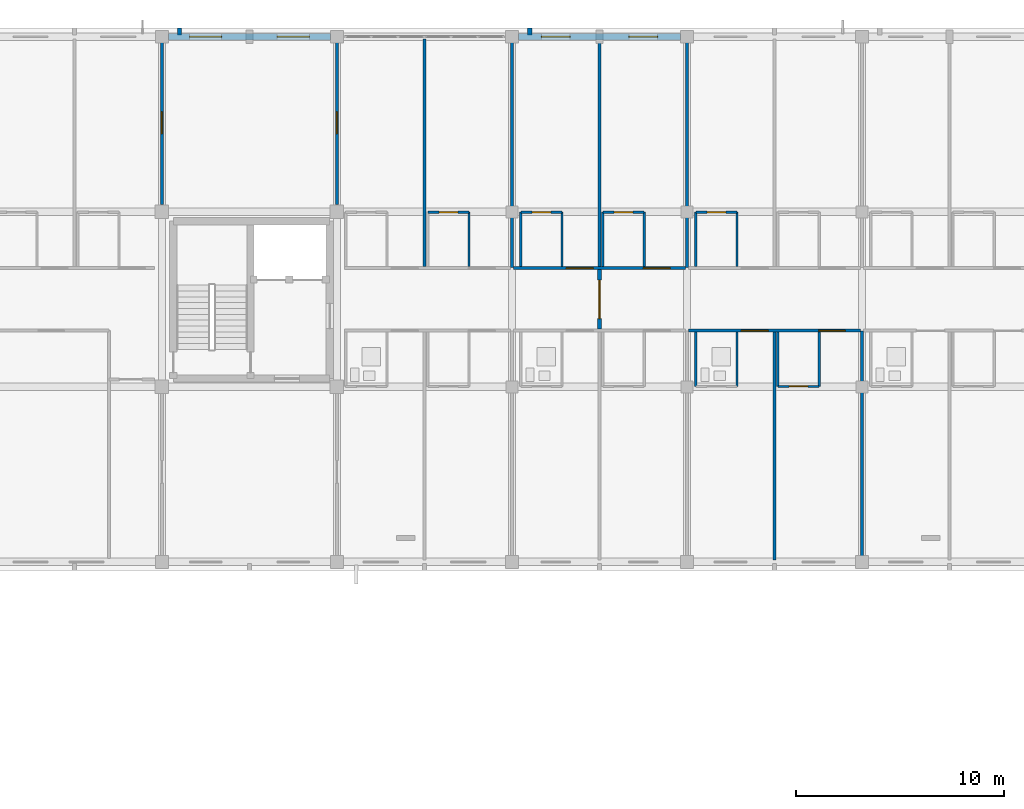
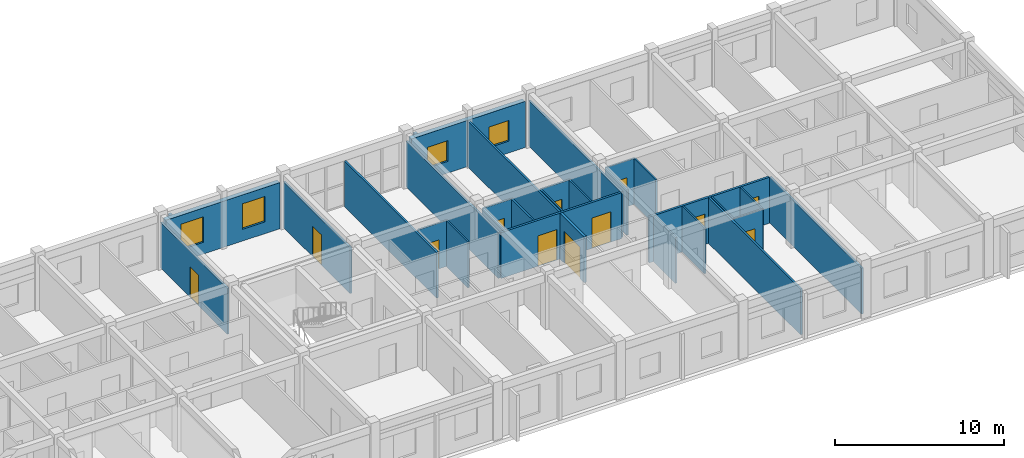
# One storey, part 71 of 81: 31 walls, 12 doors, 4 windows, 16 openings.
"""IFC4 building model written with IfcOpenShell, lengths in metres."""

from ifc_helpers import new_model, si_unit, direction, frame, frame_2d, origin, place, context, subcontext, project, spatial, rectangle, extrude, material, layer, layer_set, type_object, element, fill, save


model = new_model("IFC4")

# Units and contexts
model_context = context("Model", 3, precision=1e-05, world=origin(), true_north=direction((0.0, 1.0)))
body_context = subcontext(model_context, "Body", "Model", "MODEL_VIEW")
ifc_project = project(units=[si_unit("LENGTHUNIT", "METRE"), si_unit("AREAUNIT", "SQUARE_METRE"), si_unit("VOLUMEUNIT", "CUBIC_METRE"), si_unit("PLANEANGLEUNIT", "RADIAN"), si_unit("MASSUNIT", "GRAM", prefix="KILO")], contexts=[model_context])

# Site, building, storey
site_placement = place(None, origin())
site = spatial("IfcSite", under=ifc_project, at=site_placement, CompositionType="ELEMENT")
building_placement = place(site_placement, origin())
building = spatial("IfcBuilding", under=site, at=building_placement, Name="Trelvath General Hospital", CompositionType="ELEMENT")
storey_placement = place(building_placement, frame((0.0, 0.0, 24.60009765625)))
storey = spatial("IfcBuildingStorey", under=building, at=storey_placement, Name="L06", CompositionType="ELEMENT", Elevation=24.60009765625)

# Walls
ifc_material_1 = material(Name="Precast concrete C40/50", Category="concrete")
ifc_layer_1 = layer(ifc_material_1, 0.199951171875)
ifc_layer_set_1 = layer_set([ifc_layer_1], Name="Precast concrete C40/50")
wall_type_1 = type_object("IfcWallType", Name="BriseSoleilRib 200", PredefinedType="ELEMENTEDWALL", material=ifc_layer_set_1)
for number, where, z_axis, x_axis, name in (
    (1, (84.850341796875, 117.675048828125, 0.0), (0.0, 0.0, 1.0), (0.0, 1.0, 0.0), "Precast Concrete Brise-Soleil Rib Fin L06-438"),
    (2, (101.650390625, 117.675048828125, 0.0), (0.0, 0.0, 1.0), (0.0, 1.0, 0.0), "Precast Concrete Brise-Soleil Rib Fin L06-444"),
):
    element("IfcWall", number, at=place(storey_placement, frame(where, z_axis=z_axis, x_axis=x_axis)), inside=storey, type_object=wall_type_1, Name=name, PredefinedType="ELEMENTEDWALL", context=body_context, shape_type="SweptSolid", body=[
        extrude(rectangle(XDim=0.33984375, YDim=0.199951171875, at=frame_2d((0.169921875, 0.0))), origin(), (0.0, 0.0, 1.0), 3.31982421875),
    ])

# Wall, openings, doors
ifc_material_2 = material(Name="Gypsum acoustic steel-stud partition", Category="steel")
ifc_layer_2 = layer(ifc_material_2, 0.14990234375)
ifc_layer_set_2 = layer_set([ifc_layer_2], Name="Gypsum acoustic steel-stud partition")
wall_type_2 = type_object("IfcWallType", Name="ClinicalPartition 150", PredefinedType="PARTITIONING", material=ifc_layer_set_2)
wall_1_placement = place(storey_placement, frame((109.1201171875, 106.5, 0.0), z_axis=(0.0, 0.0, 1.0), x_axis=(-1.0, 0.0, 0.0)))
wall_1 = element("IfcWall", 3, at=wall_1_placement, inside=storey, type_object=wall_type_2, Name="Corridor Partition N L06-2269", PredefinedType="PARTITIONING", context=body_context, shape_type="SweptSolid", body=[
    extrude(rectangle(XDim=8.240234375, YDim=0.14990234375, at=frame_2d((4.1201171875, 0.0))), origin(), (0.0, 0.0, 1.0), 3.31982421875),
])
opening_1_placement = place(wall_1_placement, frame((0.72998046875, 0.0, 0.0)))
opening_1 = element("IfcOpeningElement", 4, at=opening_1_placement, cuts=wall_1, Name="Opening D-6-1428", PredefinedType="OPENING", context=body_context, shape_type="SweptSolid", body=[
    extrude(rectangle(XDim=1.280029296875, YDim=2.199951171875, at=frame_2d((0.64013671875, 1.10009765625))), frame((0.0, 0.0849609375, 0.0), z_axis=(0.0, -1.0, 0.0), x_axis=(1.0, 0.0, 0.0)), (0.0, 0.0, 1.0), 0.169921875),
])
opening_2_placement = place(wall_1_placement, frame((4.429931640625, 0.0, 0.0)))
opening_2 = element("IfcOpeningElement", 5, at=opening_2_placement, cuts=wall_1, Name="Opening D-6-1429", PredefinedType="OPENING", context=body_context, shape_type="SweptSolid", body=[
    extrude(rectangle(XDim=1.280029296875, YDim=2.199951171875, at=frame_2d((0.64013671875, 1.10009765625))), frame((0.0, 0.0849609375, 0.0), z_axis=(0.0, -1.0, 0.0), x_axis=(1.0, 0.0, 0.0)), (0.0, 0.0, 1.0), 0.169921875),
])
ifc_material_3 = material(Name="Pediatric ward timber door", Category="wood")
door_type_1 = type_object("IfcDoorType", Name="Door PatientPeds 1280x2200", OperationType="NOTDEFINED", PredefinedType="DOOR", material=ifc_material_3)
door_1_placement = place(opening_1_placement, origin())
door_1 = element("IfcDoor", 6, at=door_1_placement, inside=storey, type_object=door_type_1, Name="Patient Room Door N L06-1428", OperationType="SINGLE_SWING_LEFT", OverallHeight=2.199951171875, OverallWidth=1.280029296875, PredefinedType="DOOR", context=body_context, shape_type="SweptSolid", body=[
    extrude(rectangle(XDim=1.280029296875, YDim=2.199951171875, at=frame_2d((0.64013671875, 1.10009765625))), frame((0.0, 0.02490234375, 0.0), z_axis=(0.0, -1.0, 0.0), x_axis=(1.0, 0.0, 0.0)), (0.0, 0.0, 1.0), 0.050048828125),
])
fill(opening_1, door_1)
door_2_placement = place(opening_2_placement, origin())
door_2 = element("IfcDoor", 7, at=door_2_placement, inside=storey, type_object=door_type_1, Name="Patient Room Door N L06-1429", OperationType="SINGLE_SWING_LEFT", OverallHeight=2.199951171875, OverallWidth=1.280029296875, PredefinedType="DOOR", context=body_context, shape_type="SweptSolid", body=[
    extrude(rectangle(XDim=1.280029296875, YDim=2.199951171875, at=frame_2d((0.64013671875, 1.10009765625))), frame((0.0, 0.02490234375, 0.0), z_axis=(0.0, -1.0, 0.0), x_axis=(1.0, 0.0, 0.0)), (0.0, 0.0, 1.0), 0.050048828125),
])
fill(opening_2, door_2)

wall_2_placement = place(storey_placement, frame((109.280029296875, 103.5, 0.0), z_axis=(0.0, 0.0, 1.0), x_axis=(1.0, 0.0, 0.0)))
wall_2 = element("IfcWall", 8, at=wall_2_placement, inside=storey, type_object=wall_type_2, Name="Corridor Partition L06-2280", PredefinedType="PARTITIONING", context=body_context, shape_type="SweptSolid", body=[
    extrude(rectangle(XDim=8.239990234375, YDim=0.14990234375, at=frame_2d((4.1201171875, 0.0))), origin(), (0.0, 0.0, 1.0), 3.31982421875),
])
opening_3_placement = place(wall_2_placement, frame((2.530029296875, 0.0, 0.0)))
opening_3 = element("IfcOpeningElement", 9, at=opening_3_placement, cuts=wall_2, Name="Opening D-6-1433", PredefinedType="OPENING", context=body_context, shape_type="SweptSolid", body=[
    extrude(rectangle(XDim=1.280029296875, YDim=2.199951171875, at=frame_2d((0.64013671875, 1.10009765625))), frame((0.0, 0.0849609375, 0.0), z_axis=(0.0, -1.0, 0.0), x_axis=(1.0, 0.0, 0.0)), (0.0, 0.0, 1.0), 0.169921875),
])
opening_4_placement = place(wall_2_placement, frame((6.22998046875, 0.0, 0.0)))
opening_4 = element("IfcOpeningElement", 10, at=opening_4_placement, cuts=wall_2, Name="Opening D-6-1434", PredefinedType="OPENING", context=body_context, shape_type="SweptSolid", body=[
    extrude(rectangle(XDim=1.280029296875, YDim=2.199951171875, at=frame_2d((0.64013671875, 1.10009765625))), frame((0.0, 0.0849609375, 0.0), z_axis=(0.0, -1.0, 0.0), x_axis=(1.0, 0.0, 0.0)), (0.0, 0.0, 1.0), 0.169921875),
])
door_3_placement = place(opening_3_placement, origin())
door_3 = element("IfcDoor", 11, at=door_3_placement, inside=storey, type_object=door_type_1, Name="Patient Room Door L06-1433", OperationType="SINGLE_SWING_RIGHT", OverallHeight=2.199951171875, OverallWidth=1.280029296875, PredefinedType="DOOR", context=body_context, shape_type="SweptSolid", body=[
    extrude(rectangle(XDim=1.280029296875, YDim=2.199951171875, at=frame_2d((0.64013671875, 1.10009765625))), frame((0.0, 0.02490234375, 0.0), z_axis=(0.0, -1.0, 0.0), x_axis=(1.0, 0.0, 0.0)), (0.0, 0.0, 1.0), 0.050048828125),
])
fill(opening_3, door_3)
door_4_placement = place(opening_4_placement, origin())
door_4 = element("IfcDoor", 12, at=door_4_placement, inside=storey, type_object=door_type_1, Name="Patient Room Door L06-1434", OperationType="SINGLE_SWING_LEFT", OverallHeight=2.199951171875, OverallWidth=1.280029296875, PredefinedType="DOOR", context=body_context, shape_type="SweptSolid", body=[
    extrude(rectangle(XDim=1.280029296875, YDim=2.199951171875, at=frame_2d((0.64013671875, 1.10009765625))), frame((0.0, 0.02490234375, 0.0), z_axis=(0.0, -1.0, 0.0), x_axis=(1.0, 0.0, 0.0)), (0.0, 0.0, 1.0), 0.050048828125),
])
fill(opening_4, door_4)

# Wall
ifc_material_4 = material(Name="Moisture-resistant tile partition")
ifc_layer_3 = layer(ifc_material_4, 0.110107421875)
ifc_layer_set_3 = layer_set([ifc_layer_3], Name="Moisture-resistant tile partition")
wall_type_3 = type_object("IfcWallType", Name="EnSuiteWetWall 110", PredefinedType="PARTITIONING", material=ifc_layer_set_3)
wall_3_placement = place(storey_placement, frame((98.739990234375, 106.570068359375, 0.0), z_axis=(0.0, 0.0, 1.0), x_axis=(0.0, 1.0, 0.0)))
element("IfcWall", 13, at=wall_3_placement, inside=storey, type_object=wall_type_3, Name="En-Suite E Wall N L06-2257", PredefinedType="PARTITIONING", context=body_context, shape_type="SweptSolid", body=[
    extrude(rectangle(XDim=2.60986328125, YDim=0.110107421875, at=frame_2d((1.304931640625, 0.0))), origin(), (0.0, 0.0, 1.0), 3.31982421875),
])

# Wall, opening, door
wall_4_placement = place(storey_placement, frame((96.760009765625, 109.179931640625, 0.0), z_axis=(0.0, 0.0, 1.0), x_axis=(1.0, 0.0, 0.0)))
wall_4 = element("IfcWall", 14, at=wall_4_placement, inside=storey, type_object=wall_type_3, Name="En-Suite Bathroom N Partition L06-2258", PredefinedType="PARTITIONING", context=body_context, shape_type="SweptSolid", body=[
    extrude(rectangle(XDim=1.97998046875, YDim=0.110107421875, at=frame_2d((0.989990234375, 0.0))), origin(), (0.0, 0.0, 1.0), 3.31982421875),
])
opening_5_placement = place(wall_4_placement, frame((0.5400390625, 0.0, 0.0)))
opening_5 = element("IfcOpeningElement", 15, at=opening_5_placement, cuts=wall_4, Name="Opening D-6-1423", PredefinedType="OPENING", context=body_context, shape_type="SweptSolid", body=[
    extrude(rectangle(XDim=0.89990234375, YDim=2.10009765625, at=frame_2d((0.449951171875, 1.050048828125))), frame((0.0, 0.06494140625, 0.0), z_axis=(0.0, -1.0, 0.0), x_axis=(1.0, 0.0, 0.0)), (0.0, 0.0, 1.0), 0.130126953125),
])
ifc_material_5 = material(Name="Moisture-sealed timber leaf", Category="wood")
door_type_2 = type_object("IfcDoorType", Name="Door EnSuite 900x2100", OperationType="NOTDEFINED", PredefinedType="DOOR", material=ifc_material_5)
door_5_placement = place(opening_5_placement, origin())
door_5 = element("IfcDoor", 16, at=door_5_placement, inside=storey, type_object=door_type_2, Name="En-Suite Bathroom N Door L06-1423", OperationType="SINGLE_SWING_RIGHT", OverallHeight=2.10009765625, OverallWidth=0.89990234375, PredefinedType="DOOR", context=body_context, shape_type="SweptSolid", body=[
    extrude(rectangle(XDim=0.89990234375, YDim=2.10009765625, at=frame_2d((0.449951171875, 1.050048828125))), frame((0.0, 0.02490234375, 0.0), z_axis=(0.0, -1.0, 0.0), x_axis=(1.0, 0.0, 0.0)), (0.0, 0.0, 1.0), 0.050048828125),
])
fill(opening_5, door_5)

# Walls
for number, where, z_axis, x_axis, name in (
    (17, (101.219970703125, 106.570068359375, 0.0), (0.0, 0.0, 1.0), (0.0, 1.0, 0.0), "En-Suite W Wall N L06-2271"),
    (18, (103.199951171875, 106.570068359375, 0.0), (0.0, 0.0, 1.0), (0.0, 1.0, 0.0), "En-Suite E Wall N L06-2272"),
):
    element("IfcWall", number, at=place(storey_placement, frame(where, z_axis=z_axis, x_axis=x_axis)), inside=storey, type_object=wall_type_3, Name=name, PredefinedType="PARTITIONING", context=body_context, shape_type="SweptSolid", body=[
        extrude(rectangle(XDim=2.60986328125, YDim=0.110107421875, at=frame_2d((1.304931640625, 0.0))), origin(), (0.0, 0.0, 1.0), 3.31982421875),
    ])

# Wall, opening, door
wall_5_placement = place(storey_placement, frame((101.219970703125, 109.179931640625, 0.0), z_axis=(0.0, 0.0, 1.0), x_axis=(1.0, 0.0, 0.0)))
wall_5 = element("IfcWall", 19, at=wall_5_placement, inside=storey, type_object=wall_type_3, Name="En-Suite Bathroom N Partition L06-2273", PredefinedType="PARTITIONING", context=body_context, shape_type="SweptSolid", body=[
    extrude(rectangle(XDim=1.97998046875, YDim=0.110107421875, at=frame_2d((0.989990234375, 0.0))), origin(), (0.0, 0.0, 1.0), 3.31982421875),
])
opening_6_placement = place(wall_5_placement, frame((0.5400390625, 0.0, 0.0)))
opening_6 = element("IfcOpeningElement", 20, at=opening_6_placement, cuts=wall_5, Name="Opening D-6-1430", PredefinedType="OPENING", context=body_context, shape_type="SweptSolid", body=[
    extrude(rectangle(XDim=0.89990234375, YDim=2.10009765625, at=frame_2d((0.449951171875, 1.050048828125))), frame((0.0, 0.06494140625, 0.0), z_axis=(0.0, -1.0, 0.0), x_axis=(1.0, 0.0, 0.0)), (0.0, 0.0, 1.0), 0.130126953125),
])
door_6_placement = place(opening_6_placement, origin())
door_6 = element("IfcDoor", 21, at=door_6_placement, inside=storey, type_object=door_type_2, Name="En-Suite Bathroom N Door L06-1430", OperationType="SINGLE_SWING_RIGHT", OverallHeight=2.10009765625, OverallWidth=0.89990234375, PredefinedType="DOOR", context=body_context, shape_type="SweptSolid", body=[
    extrude(rectangle(XDim=0.89990234375, YDim=2.10009765625, at=frame_2d((0.449951171875, 1.050048828125))), frame((0.0, 0.02490234375, 0.0), z_axis=(0.0, -1.0, 0.0), x_axis=(1.0, 0.0, 0.0)), (0.0, 0.0, 1.0), 0.050048828125),
])
fill(opening_6, door_6)

# Walls
for number, where, z_axis, x_axis, name in (
    (22, (105.159912109375, 106.570068359375, 0.0), (0.0, 0.0, 1.0), (0.0, 1.0, 0.0), "En-Suite W Wall N L06-2274"),
    (23, (107.139892578125, 106.570068359375, 0.0), (0.0, 0.0, 1.0), (0.0, 1.0, 0.0), "En-Suite E Wall N L06-2275"),
):
    element("IfcWall", number, at=place(storey_placement, frame(where, z_axis=z_axis, x_axis=x_axis)), inside=storey, type_object=wall_type_3, Name=name, PredefinedType="PARTITIONING", context=body_context, shape_type="SweptSolid", body=[
        extrude(rectangle(XDim=2.60986328125, YDim=0.110107421875, at=frame_2d((1.304931640625, 0.0))), origin(), (0.0, 0.0, 1.0), 3.31982421875),
    ])

# Wall, opening, door
wall_6_placement = place(storey_placement, frame((105.159912109375, 109.179931640625, 0.0), z_axis=(0.0, 0.0, 1.0), x_axis=(1.0, 0.0, 0.0)))
wall_6 = element("IfcWall", 24, at=wall_6_placement, inside=storey, type_object=wall_type_3, Name="En-Suite Bathroom N Partition L06-2276", PredefinedType="PARTITIONING", context=body_context, shape_type="SweptSolid", body=[
    extrude(rectangle(XDim=1.97998046875, YDim=0.110107421875, at=frame_2d((0.989990234375, 0.0))), origin(), (0.0, 0.0, 1.0), 3.31982421875),
])
opening_7_placement = place(wall_6_placement, frame((0.5400390625, 0.0, 0.0)))
opening_7 = element("IfcOpeningElement", 25, at=opening_7_placement, cuts=wall_6, Name="Opening D-6-1431", PredefinedType="OPENING", context=body_context, shape_type="SweptSolid", body=[
    extrude(rectangle(XDim=0.89990234375, YDim=2.10009765625, at=frame_2d((0.449951171875, 1.050048828125))), frame((0.0, 0.06494140625, 0.0), z_axis=(0.0, -1.0, 0.0), x_axis=(1.0, 0.0, 0.0)), (0.0, 0.0, 1.0), 0.130126953125),
])
door_7_placement = place(opening_7_placement, origin())
door_7 = element("IfcDoor", 26, at=door_7_placement, inside=storey, type_object=door_type_2, Name="En-Suite Bathroom N Door L06-1431", OperationType="SINGLE_SWING_LEFT", OverallHeight=2.10009765625, OverallWidth=0.89990234375, PredefinedType="DOOR", context=body_context, shape_type="SweptSolid", body=[
    extrude(rectangle(XDim=0.89990234375, YDim=2.10009765625, at=frame_2d((0.449951171875, 1.050048828125))), frame((0.0, 0.02490234375, 0.0), z_axis=(0.0, -1.0, 0.0), x_axis=(1.0, 0.0, 0.0)), (0.0, 0.0, 1.0), 0.050048828125),
])
fill(opening_7, door_7)

# Walls
for number, where, z_axis, x_axis, name in (
    (27, (109.6201171875, 100.820068359375, 0.0), (0.0, 0.0, 1.0), (0.0, 1.0, 0.0), "En-Suite W Wall L06-2282"),
    (28, (111.60009765625, 100.820068359375, 0.0), (0.0, 0.0, 1.0), (0.0, 1.0, 0.0), "En-Suite E Wall L06-2283"),
    (29, (113.56005859375, 100.820068359375, 0.0), (0.0, 0.0, 1.0), (0.0, 1.0, 0.0), "En-Suite W Wall L06-2285"),
    (30, (115.5400390625, 100.820068359375, 0.0), (0.0, 0.0, 1.0), (0.0, 1.0, 0.0), "En-Suite E Wall L06-2286"),
):
    element("IfcWall", number, at=place(storey_placement, frame(where, z_axis=z_axis, x_axis=x_axis)), inside=storey, type_object=wall_type_3, Name=name, PredefinedType="PARTITIONING", context=body_context, shape_type="SweptSolid", body=[
        extrude(rectangle(XDim=2.60986328125, YDim=0.110107421875, at=frame_2d((1.304931640625, 0.0))), origin(), (0.0, 0.0, 1.0), 3.31982421875),
    ])

# Wall, opening, door
wall_7_placement = place(storey_placement, frame((113.56005859375, 100.820068359375, 0.0), z_axis=(0.0, 0.0, 1.0), x_axis=(1.0, 0.0, 0.0)))
wall_7 = element("IfcWall", 31, at=wall_7_placement, inside=storey, type_object=wall_type_3, Name="En-Suite Bathroom Partition L06-2287", PredefinedType="PARTITIONING", context=body_context, shape_type="SweptSolid", body=[
    extrude(rectangle(XDim=1.97998046875, YDim=0.110107421875, at=frame_2d((0.989990234375, 0.0))), origin(), (0.0, 0.0, 1.0), 3.31982421875),
])
opening_8_placement = place(wall_7_placement, frame((0.5400390625, 0.0, 0.0)))
opening_8 = element("IfcOpeningElement", 32, at=opening_8_placement, cuts=wall_7, Name="Opening D-6-1436", PredefinedType="OPENING", context=body_context, shape_type="SweptSolid", body=[
    extrude(rectangle(XDim=0.89990234375, YDim=2.10009765625, at=frame_2d((0.449951171875, 1.050048828125))), frame((0.0, 0.06494140625, 0.0), z_axis=(0.0, -1.0, 0.0), x_axis=(1.0, 0.0, 0.0)), (0.0, 0.0, 1.0), 0.130126953125),
])
door_8_placement = place(opening_8_placement, origin())
door_8 = element("IfcDoor", 33, at=door_8_placement, inside=storey, type_object=door_type_2, Name="En-Suite Bathroom Door L06-1436", OperationType="SINGLE_SWING_LEFT", OverallHeight=2.10009765625, OverallWidth=0.89990234375, PredefinedType="DOOR", context=body_context, shape_type="SweptSolid", body=[
    extrude(rectangle(XDim=0.89990234375, YDim=2.10009765625, at=frame_2d((0.449951171875, 1.050048828125))), frame((0.0, 0.02490234375, 0.0), z_axis=(0.0, -1.0, 0.0), x_axis=(1.0, 0.0, 0.0)), (0.0, 0.0, 1.0), 0.050048828125),
])
fill(opening_8, door_8)

# Walls
for number, where, z_axis, x_axis, name in (
    (34, (109.6201171875, 106.570068359375, 0.0), (0.0, 0.0, 1.0), (0.0, 1.0, 0.0), "En-Suite W Wall N L06-2290"),
    (35, (111.60009765625, 106.570068359375, 0.0), (0.0, 0.0, 1.0), (0.0, 1.0, 0.0), "En-Suite E Wall N L06-2291"),
):
    element("IfcWall", number, at=place(storey_placement, frame(where, z_axis=z_axis, x_axis=x_axis)), inside=storey, type_object=wall_type_3, Name=name, PredefinedType="PARTITIONING", context=body_context, shape_type="SweptSolid", body=[
        extrude(rectangle(XDim=2.60986328125, YDim=0.110107421875, at=frame_2d((1.304931640625, 0.0))), origin(), (0.0, 0.0, 1.0), 3.31982421875),
    ])

# Wall, opening, door
wall_8_placement = place(storey_placement, frame((109.6201171875, 109.179931640625, 0.0), z_axis=(0.0, 0.0, 1.0), x_axis=(1.0, 0.0, 0.0)))
wall_8 = element("IfcWall", 36, at=wall_8_placement, inside=storey, type_object=wall_type_3, Name="En-Suite Bathroom N Partition L06-2292", PredefinedType="PARTITIONING", context=body_context, shape_type="SweptSolid", body=[
    extrude(rectangle(XDim=1.97998046875, YDim=0.110107421875, at=frame_2d((0.989990234375, 0.0))), origin(), (0.0, 0.0, 1.0), 3.31982421875),
])
opening_9_placement = place(wall_8_placement, frame((0.5400390625, 0.0, 0.0)))
opening_9 = element("IfcOpeningElement", 37, at=opening_9_placement, cuts=wall_8, Name="Opening D-6-1439", PredefinedType="OPENING", context=body_context, shape_type="SweptSolid", body=[
    extrude(rectangle(XDim=0.89990234375, YDim=2.10009765625, at=frame_2d((0.449951171875, 1.050048828125))), frame((0.0, 0.06494140625, 0.0), z_axis=(0.0, -1.0, 0.0), x_axis=(1.0, 0.0, 0.0)), (0.0, 0.0, 1.0), 0.130126953125),
])
door_9_placement = place(opening_9_placement, origin())
door_9 = element("IfcDoor", 38, at=door_9_placement, inside=storey, type_object=door_type_2, Name="En-Suite Bathroom N Door L06-1439", OperationType="SINGLE_SWING_LEFT", OverallHeight=2.10009765625, OverallWidth=0.89990234375, PredefinedType="DOOR", context=body_context, shape_type="SweptSolid", body=[
    extrude(rectangle(XDim=0.89990234375, YDim=2.10009765625, at=frame_2d((0.449951171875, 1.050048828125))), frame((0.0, 0.02490234375, 0.0), z_axis=(0.0, -1.0, 0.0), x_axis=(1.0, 0.0, 0.0)), (0.0, 0.0, 1.0), 0.050048828125),
])
fill(opening_9, door_9)

# Wall, openings, windows
ifc_material_6 = material(Name="Concrete C35/45", Category="concrete")
ifc_layer_4 = layer(ifc_material_6, 0.320068359375)
ifc_layer_set_4 = layer_set([ifc_layer_4], Name="Concrete C35/45")
wall_type_4 = type_object("IfcWallType", Name="ExtThermalWall 320", PredefinedType="SOLIDWALL", material=ifc_layer_set_4)
wall_9_placement = place(storey_placement, frame((84.304931640625, 117.60009765625, 0.0), z_axis=(0.0, 0.0, 1.0), x_axis=(1.0, 0.0, 0.0)))
wall_9 = element("IfcWall", 39, at=wall_9_placement, inside=storey, type_object=wall_type_4, Name="Exterior Concrete Wall L06-587", PredefinedType="SOLIDWALL", context=body_context, shape_type="SweptSolid", body=[
    extrude(rectangle(XDim=7.7900390625, YDim=0.320068359375, at=frame_2d((3.89501953125, 0.0))), origin(), (0.0, 0.0, 1.0), 3.33984375),
])
opening_10_placement = place(wall_9_placement, frame((1.021728515625, 0.0, 0.85009765625)))
opening_10 = element("IfcOpeningElement", 40, at=opening_10_placement, cuts=wall_9, Name="Opening WN-6-981", PredefinedType="OPENING", context=body_context, shape_type="SweptSolid", body=[
    extrude(rectangle(XDim=1.5400390625, YDim=1.85009765625, at=frame_2d((0.77001953125, 0.925048828125))), frame((0.0, 0.169921875, 0.0), z_axis=(0.0, -1.0, 0.0), x_axis=(1.0, 0.0, 0.0)), (0.0, 0.0, 1.0), 0.340087890625),
])
opening_11_placement = place(wall_9_placement, frame((5.228271484375, 0.0, 0.85009765625)))
opening_11 = element("IfcOpeningElement", 41, at=opening_11_placement, cuts=wall_9, Name="Opening WN-6-982", PredefinedType="OPENING", context=body_context, shape_type="SweptSolid", body=[
    extrude(rectangle(XDim=1.5400390625, YDim=1.85009765625, at=frame_2d((0.77001953125, 0.925048828125))), frame((0.0, 0.169921875, 0.0), z_axis=(0.0, -1.0, 0.0), x_axis=(1.0, 0.0, 0.0)), (0.0, 0.0, 1.0), 0.340087890625),
])
ifc_material_7 = material(Name="Low-E laminated glass", Category="glass")
window_type_1 = type_object("IfcWindowType", Name="Window Waiting 1540x1850", PartitioningType="DOUBLE_PANEL_VERTICAL", PredefinedType="WINDOW", material=ifc_material_7)
window_1_placement = place(opening_10_placement, origin())
window_1 = element("IfcWindow", 42, at=window_1_placement, inside=storey, type_object=window_type_1, Name="Solar Reveal Window L06-981", OverallHeight=1.85009765625, OverallWidth=1.5400390625, PartitioningType="SINGLE_PANEL", PredefinedType="WINDOW", context=body_context, shape_type="SweptSolid", body=[
    extrude(rectangle(XDim=1.5400390625, YDim=1.85009765625, at=frame_2d((0.77001953125, 0.925048828125))), frame((0.0, 0.030029296875, 0.0), z_axis=(0.0, -1.0, 0.0), x_axis=(1.0, 0.0, 0.0)), (0.0, 0.0, 1.0), 0.06005859375),
])
fill(opening_10, window_1)
window_2_placement = place(opening_11_placement, origin())
window_2 = element("IfcWindow", 43, at=window_2_placement, inside=storey, type_object=window_type_1, Name="Solar Reveal Window L06-982", OverallHeight=1.85009765625, OverallWidth=1.5400390625, PartitioningType="SINGLE_PANEL", PredefinedType="WINDOW", context=body_context, shape_type="SweptSolid", body=[
    extrude(rectangle(XDim=1.5400390625, YDim=1.85009765625, at=frame_2d((0.77001953125, 0.925048828125))), frame((0.0, 0.030029296875, 0.0), z_axis=(0.0, -1.0, 0.0), x_axis=(1.0, 0.0, 0.0)), (0.0, 0.0, 1.0), 0.06005859375),
])
fill(opening_11, window_2)

wall_10_placement = place(storey_placement, frame((101.10498046875, 117.60009765625, 0.0), z_axis=(0.0, 0.0, 1.0), x_axis=(1.0, 0.0, 0.0)))
wall_10 = element("IfcWall", 44, at=wall_10_placement, inside=storey, type_object=wall_type_4, Name="Exterior Concrete Wall L06-593", PredefinedType="SOLIDWALL", context=body_context, shape_type="SweptSolid", body=[
    extrude(rectangle(XDim=7.7900390625, YDim=0.320068359375, at=frame_2d((3.89501953125, 0.0))), origin(), (0.0, 0.0, 1.0), 3.33984375),
])
opening_12_placement = place(wall_10_placement, frame((1.101806640625, 0.0, 0.85009765625)))
opening_12 = element("IfcOpeningElement", 45, at=opening_12_placement, cuts=wall_10, Name="Opening WN-6-993", PredefinedType="OPENING", context=body_context, shape_type="SweptSolid", body=[
    extrude(rectangle(XDim=1.3798828125, YDim=1.5, at=frame_2d((0.68994140625, 0.75))), frame((0.0, 0.169921875, 0.0), z_axis=(0.0, -1.0, 0.0), x_axis=(1.0, 0.0, 0.0)), (0.0, 0.0, 1.0), 0.340087890625),
])
opening_13_placement = place(wall_10_placement, frame((5.308349609375, 0.0, 0.85009765625)))
opening_13 = element("IfcOpeningElement", 46, at=opening_13_placement, cuts=wall_10, Name="Opening WN-6-994", PredefinedType="OPENING", context=body_context, shape_type="SweptSolid", body=[
    extrude(rectangle(XDim=1.3798828125, YDim=1.5, at=frame_2d((0.68994140625, 0.75))), frame((0.0, 0.169921875, 0.0), z_axis=(0.0, -1.0, 0.0), x_axis=(1.0, 0.0, 0.0)), (0.0, 0.0, 1.0), 0.340087890625),
])
ifc_material_8 = material(Name="Low-E laminated glass", Category="glass")
window_type_2 = type_object("IfcWindowType", Name="Window Admin 1380x1500", PartitioningType="SINGLE_PANEL", PredefinedType="WINDOW", material=ifc_material_8)
window_3_placement = place(opening_12_placement, origin())
window_3 = element("IfcWindow", 47, at=window_3_placement, inside=storey, type_object=window_type_2, Name="Solar Reveal Window L06-993", OverallHeight=1.5, OverallWidth=1.3798828125, PartitioningType="SINGLE_PANEL", PredefinedType="WINDOW", context=body_context, shape_type="SweptSolid", body=[
    extrude(rectangle(XDim=1.3798828125, YDim=1.5, at=frame_2d((0.68994140625, 0.75))), frame((0.0, 0.030029296875, 0.0), z_axis=(0.0, -1.0, 0.0), x_axis=(1.0, 0.0, 0.0)), (0.0, 0.0, 1.0), 0.06005859375),
])
fill(opening_12, window_3)
window_4_placement = place(opening_13_placement, origin())
window_4 = element("IfcWindow", 48, at=window_4_placement, inside=storey, type_object=window_type_2, Name="Solar Reveal Window L06-994", OverallHeight=1.5, OverallWidth=1.3798828125, PartitioningType="SINGLE_PANEL", PredefinedType="WINDOW", context=body_context, shape_type="SweptSolid", body=[
    extrude(rectangle(XDim=1.3798828125, YDim=1.5, at=frame_2d((0.68994140625, 0.75))), frame((0.0, 0.030029296875, 0.0), z_axis=(0.0, -1.0, 0.0), x_axis=(1.0, 0.0, 0.0)), (0.0, 0.0, 1.0), 0.06005859375),
])
fill(opening_13, window_4)

# Wall, opening, door
ifc_material_9 = material(Name="Masonry fire blockwork", Category="masonry")
ifc_layer_5 = layer(ifc_material_9, 0.179931640625)
ifc_layer_set_5 = layer_set([ifc_layer_5], Name="Masonry fire blockwork")
wall_type_5 = type_object("IfcWallType", Name="SmokeBarrierWall 180", PredefinedType="PARTITIONING", material=ifc_layer_set_5)
wall_11_placement = place(storey_placement, frame((105.0, 103.580078125, 0.0), z_axis=(0.0, 0.0, 1.0), x_axis=(0.0, 1.0, 0.0)))
wall_11 = element("IfcWall", 49, at=wall_11_placement, inside=storey, type_object=wall_type_5, Name="Smoke Compartment Barrier L06-2277", PredefinedType="PARTITIONING", context=body_context, shape_type="SweptSolid", body=[
    extrude(rectangle(XDim=2.83984375, YDim=0.179931640625, at=frame_2d((1.419921875, 0.0))), origin(), (0.0, 0.0, 1.0), 3.31982421875),
])
opening_14_placement = place(wall_11_placement, frame((0.4951171875, 0.0, 0.0)))
opening_14 = element("IfcOpeningElement", 50, at=opening_14_placement, cuts=wall_11, Name="Opening SD-6-1432", PredefinedType="OPENING", context=body_context, shape_type="SweptSolid", body=[
    extrude(rectangle(XDim=1.85009765625, YDim=2.300048828125, at=frame_2d((0.925048828125, 1.14990234375))), frame((0.0, 0.099853515625, 0.0), z_axis=(0.0, -1.0, 0.0), x_axis=(1.0, 0.0, 0.0)), (0.0, 0.0, 1.0), 0.199951171875),
])
ifc_material_10 = material(Name="Fire-rated steel cross-corridor pair", Category="steel")
door_type_3 = type_object("IfcDoorType", Name="Door SmokeCross 1850x2300", OperationType="DOUBLE_SWING_LEFT", PredefinedType="DOOR", material=ifc_material_10)
door_10_placement = place(opening_14_placement, origin())
door_10 = element("IfcDoor", 51, at=door_10_placement, inside=storey, type_object=door_type_3, Name="Cross-Corridor Smoke Door L06-1432", OperationType="SLIDING_TO_LEFT", OverallHeight=2.300048828125, OverallWidth=1.85009765625, PredefinedType="DOOR", context=body_context, shape_type="SweptSolid", body=[
    extrude(rectangle(XDim=1.85009765625, YDim=2.300048828125, at=frame_2d((0.925048828125, 1.14990234375))), frame((0.0, 0.02490234375, 0.0), z_axis=(0.0, -1.0, 0.0), x_axis=(1.0, 0.0, 0.0)), (0.0, 0.0, 1.0), 0.050048828125),
])
fill(opening_14, door_10)

ifc_material_11 = material(Name="Gypsum acoustic steel-stud partition", Category="steel")
ifc_layer_6 = layer(ifc_material_11, 0.1298828125)
ifc_layer_set_6 = layer_set([ifc_layer_6], Name="Gypsum acoustic steel-stud partition")
wall_type_6 = type_object("IfcWallType", Name="WardPartition 130", PredefinedType="PARTITIONING", material=ifc_layer_set_6)
wall_12_placement = place(storey_placement, frame((84.0, 109.550048828125, 0.0), z_axis=(0.0, 0.0, 1.0), x_axis=(0.0, 1.0, 0.0)))
wall_12 = element("IfcWall", 52, at=wall_12_placement, inside=storey, type_object=wall_type_6, Name="Inter-Bay Ward Partition N L06-2239", PredefinedType="PARTITIONING", context=body_context, shape_type="SweptSolid", body=[
    extrude(rectangle(XDim=7.909912109375, YDim=0.1298828125, at=frame_2d((3.955078125, 0.0))), origin(), (0.0, 0.0, 1.0), 3.31982421875),
])
opening_15_placement = place(wall_12_placement, frame((3.39990234375, 0.0, 0.0)))
opening_15 = element("IfcOpeningElement", 53, at=opening_15_placement, cuts=wall_12, Name="Opening D-6-1413", PredefinedType="OPENING", context=body_context, shape_type="SweptSolid", body=[
    extrude(rectangle(XDim=1.050048828125, YDim=2.199951171875, at=frame_2d((0.52490234375, 1.10009765625))), frame((0.0, 0.074951171875, 0.0), z_axis=(0.0, -1.0, 0.0), x_axis=(1.0, 0.0, 0.0)), (0.0, 0.0, 1.0), 0.14990234375),
])
ifc_material_12 = material(Name="Acoustic hospital timber leaf", Category="wood")
door_type_4 = type_object("IfcDoorType", Name="Door Consult 1050x2200", OperationType="NOTDEFINED", PredefinedType="DOOR", material=ifc_material_12)
door_11_placement = place(opening_15_placement, origin())
door_11 = element("IfcDoor", 54, at=door_11_placement, inside=storey, type_object=door_type_4, Name="Consultation Connecting Door L06-1413", OperationType="SINGLE_SWING_LEFT", OverallHeight=2.199951171875, OverallWidth=1.050048828125, PredefinedType="DOOR", context=body_context, shape_type="SweptSolid", body=[
    extrude(rectangle(XDim=1.050048828125, YDim=2.199951171875, at=frame_2d((0.52490234375, 1.10009765625))), frame((0.0, 0.02490234375, 0.0), z_axis=(0.0, -1.0, 0.0), x_axis=(1.0, 0.0, 0.0)), (0.0, 0.0, 1.0), 0.050048828125),
])
fill(opening_15, door_11)

wall_13_placement = place(storey_placement, frame((92.39990234375, 109.550048828125, 0.0), z_axis=(0.0, 0.0, 1.0), x_axis=(0.0, 1.0, 0.0)))
wall_13 = element("IfcWall", 55, at=wall_13_placement, inside=storey, type_object=wall_type_6, Name="Inter-Bay Ward Partition N L06-2241", PredefinedType="PARTITIONING", context=body_context, shape_type="SweptSolid", body=[
    extrude(rectangle(XDim=7.909912109375, YDim=0.1298828125, at=frame_2d((3.955078125, 0.0))), origin(), (0.0, 0.0, 1.0), 3.31982421875),
])
opening_16_placement = place(wall_13_placement, frame((3.39990234375, 0.0, 0.0)))
opening_16 = element("IfcOpeningElement", 56, at=opening_16_placement, cuts=wall_13, Name="Opening D-6-1415", PredefinedType="OPENING", context=body_context, shape_type="SweptSolid", body=[
    extrude(rectangle(XDim=1.050048828125, YDim=2.199951171875, at=frame_2d((0.52490234375, 1.10009765625))), frame((0.0, 0.074951171875, 0.0), z_axis=(0.0, -1.0, 0.0), x_axis=(1.0, 0.0, 0.0)), (0.0, 0.0, 1.0), 0.14990234375),
])
door_12_placement = place(opening_16_placement, origin())
door_12 = element("IfcDoor", 57, at=door_12_placement, inside=storey, type_object=door_type_4, Name="Consultation Connecting Door L06-1415", OperationType="SINGLE_SWING_LEFT", OverallHeight=2.199951171875, OverallWidth=1.050048828125, PredefinedType="DOOR", context=body_context, shape_type="SweptSolid", body=[
    extrude(rectangle(XDim=1.050048828125, YDim=2.199951171875, at=frame_2d((0.52490234375, 1.10009765625))), frame((0.0, 0.02490234375, 0.0), z_axis=(0.0, -1.0, 0.0), x_axis=(1.0, 0.0, 0.0)), (0.0, 0.0, 1.0), 0.050048828125),
])
fill(opening_16, door_12)

# Walls
wall_14_placement = place(storey_placement, frame((96.60009765625, 106.570068359375, 0.0), z_axis=(0.0, 0.0, 1.0), x_axis=(0.0, 1.0, 0.0)))
element("IfcWall", 58, at=wall_14_placement, inside=storey, type_object=wall_type_6, Name="Room Dividing Partition N L06-2252", PredefinedType="PARTITIONING", context=body_context, shape_type="SweptSolid", body=[
    extrude(rectangle(XDim=10.929931640625, YDim=0.1298828125, at=frame_2d((5.46484375, 0.0))), origin(), (0.0, 0.0, 1.0), 3.31982421875),
])
wall_15_placement = place(storey_placement, frame((100.800048828125, 106.52001953125, 0.0), z_axis=(0.0, 0.0, 1.0), x_axis=(0.0, 1.0, 0.0)))
element("IfcWall", 59, at=wall_15_placement, inside=storey, type_object=wall_type_6, Name="Inter-Bay Ward Partition N L06-2260", PredefinedType="PARTITIONING", context=body_context, shape_type="SweptSolid", body=[
    extrude(rectangle(XDim=10.93994140625, YDim=0.1298828125, at=frame_2d((5.469970703125, 0.0))), origin(), (0.0, 0.0, 1.0), 3.31982421875),
])
wall_16_placement = place(storey_placement, frame((105.0, 106.570068359375, 0.0), z_axis=(0.0, 0.0, 1.0), x_axis=(0.0, 1.0, 0.0)))
element("IfcWall", 60, at=wall_16_placement, inside=storey, type_object=wall_type_6, Name="Room Dividing Partition N L06-2270", PredefinedType="PARTITIONING", context=body_context, shape_type="SweptSolid", body=[
    extrude(rectangle(XDim=10.929931640625, YDim=0.1298828125, at=frame_2d((5.46484375, 0.0))), origin(), (0.0, 0.0, 1.0), 3.31982421875),
])
wall_17_placement = place(storey_placement, frame((109.199951171875, 106.52001953125, 0.0), z_axis=(0.0, 0.0, 1.0), x_axis=(0.0, 1.0, 0.0)))
element("IfcWall", 61, at=wall_17_placement, inside=storey, type_object=wall_type_6, Name="Inter-Bay Ward Partition N L06-2279", PredefinedType="PARTITIONING", context=body_context, shape_type="SweptSolid", body=[
    extrude(rectangle(XDim=10.93994140625, YDim=0.1298828125, at=frame_2d((5.469970703125, 0.0))), origin(), (0.0, 0.0, 1.0), 3.31982421875),
])
wall_18_placement = place(storey_placement, frame((113.39990234375, 92.5, 0.0), z_axis=(0.0, 0.0, 1.0), x_axis=(0.0, 1.0, 0.0)))
element("IfcWall", 62, at=wall_18_placement, inside=storey, type_object=wall_type_6, Name="Room Dividing Partition S L06-2281", PredefinedType="PARTITIONING", context=body_context, shape_type="SweptSolid", body=[
    extrude(rectangle(XDim=10.929931640625, YDim=0.1298828125, at=frame_2d((5.46484375, 0.0))), origin(), (0.0, 0.0, 1.0), 3.31982421875),
])
wall_19_placement = place(storey_placement, frame((117.60009765625, 92.5400390625, 0.0), z_axis=(0.0, 0.0, 1.0), x_axis=(0.0, 1.0, 0.0)))
element("IfcWall", 63, at=wall_19_placement, inside=storey, type_object=wall_type_6, Name="Inter-Bay Ward Partition S L06-2296", PredefinedType="PARTITIONING", context=body_context, shape_type="SweptSolid", body=[
    extrude(rectangle(XDim=10.93994140625, YDim=0.1298828125, at=frame_2d((5.469970703125, 0.0))), origin(), (0.0, 0.0, 1.0), 3.31982421875),
])

save(model, "model.ifc")
